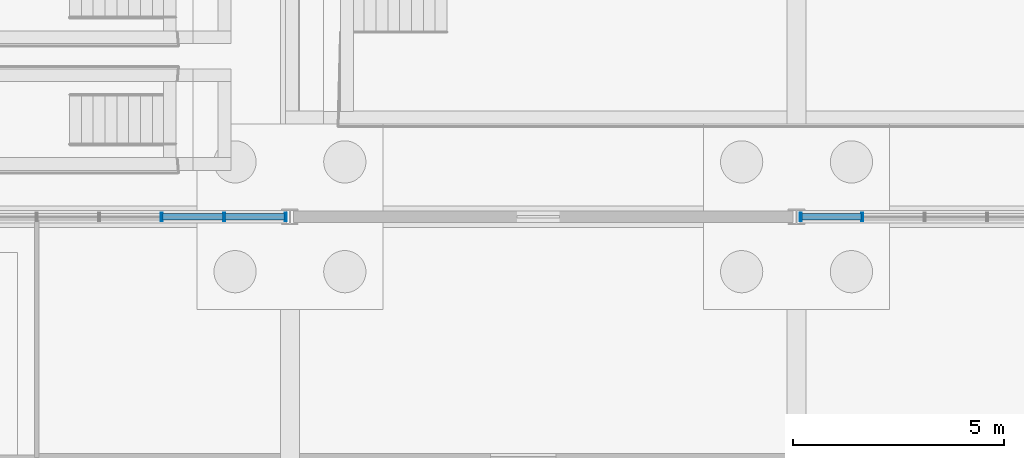
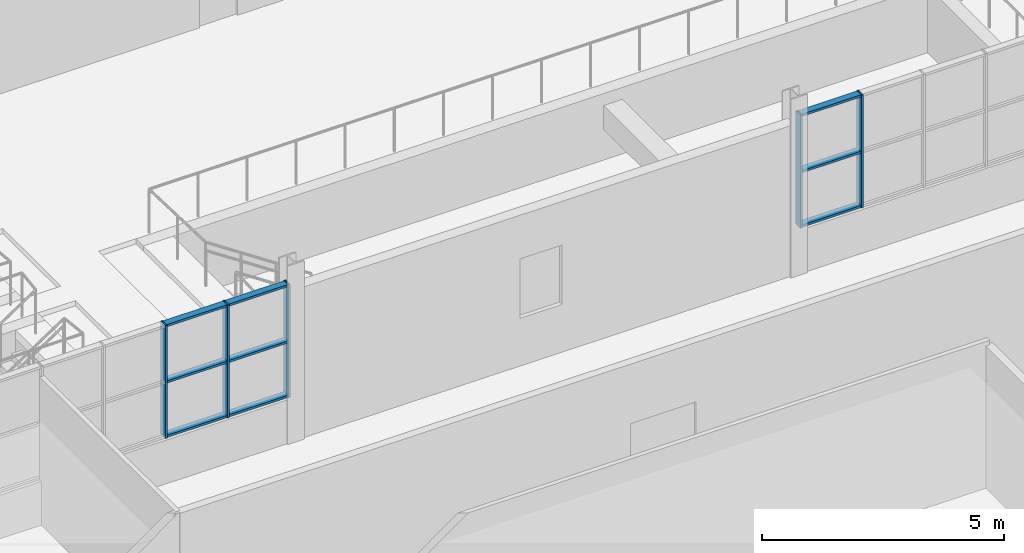
# One storey, part 76 of 136: 14 members, 2 elements without a shape of their own.
"""IFC4 building model written with IfcOpenShell, lengths in metres."""

from ifc_helpers import new_model, si_unit, direction, frame, origin, origin_2d, place, context, subcontext, project, spatial, hollow_rectangle, extrude, material, layer, layer_set, material_profile, profile_set, type_object, element, aggregate, save


model = new_model("IFC4")

# Units and contexts
model_context = context("Model", 3, precision=1e-05, world=origin(), true_north=direction((0.0, 1.0)))
body_context = subcontext(model_context, "Body", "Model", "MODEL_VIEW")
ifc_project = project(units=[si_unit("LENGTHUNIT", "METRE"), si_unit("AREAUNIT", "SQUARE_METRE"), si_unit("VOLUMEUNIT", "CUBIC_METRE"), si_unit("PLANEANGLEUNIT", "RADIAN"), si_unit("MASSUNIT", "GRAM", prefix="KILO")], contexts=[model_context])

# Site, building, storey
site_placement = place(None, origin())
site = spatial("IfcSite", under=ifc_project, at=site_placement, CompositionType="ELEMENT")
building_placement = place(site_placement, origin())
building = spatial("IfcBuilding", under=site, at=building_placement, Name="Solvenia Promenade Tram Depot", CompositionType="ELEMENT")
storey_placement = place(building_placement, origin())
storey = spatial("IfcBuildingStorey", under=building, at=storey_placement, Name="L00", CompositionType="ELEMENT", Elevation=0.0)

# Curtain wall, members
ifc_material = material(Name="Anodized aluminium AW-6063 T6", Category="aluminium")
ifc_layer = layer(ifc_material, 0.179931640625, Name="Anodized aluminium AW-6063 T6", Category="aluminium")
ifc_layer_set = layer_set([ifc_layer], Name="Anodized aluminium AW-6063 T6")
curtain_wall_type = type_object("IfcCurtainWallType", Name="CW-Solar-1500", PredefinedType="NOTDEFINED", material=ifc_layer_set)
curtain_wall_1_placement = place(storey_placement, origin())
curtain_wall_1 = element("IfcCurtainWall", 1, at=curtain_wall_1_placement, inside=storey, type_object=curtain_wall_type, Name="Curtain Wall CW-V2S-L0-07", PredefinedType="NOTDEFINED")
ifc_material_profile_1 = material_profile(ifc_material, hollow_rectangle(XDim=0.199951171875, YDim=0.048095703125, WallThickness=0.00390625, at=origin_2d()), Name="ALU-M3", Category="aluminium")
ifc_profile_set_1 = profile_set([ifc_material_profile_1], Name="Anodized aluminium AW-6063 T6")
member_type_1 = type_object("IfcMemberType", Name="CWM-Mullion-3", PredefinedType="MULLION", material=ifc_profile_set_1)
member_1_placement = place(storey_placement, frame((158.9599609375, 24.0, 1.10009765625), z_axis=(0.0, 0.0, 1.0), x_axis=(0.0, 1.0, 0.0)))
member_1 = element("IfcMember", 2, at=member_1_placement, type_object=member_type_1, Name="CW-7 mullion 7", PredefinedType="MULLION", context=body_context, shape_type="SweptSolid", body=[
    extrude(hollow_rectangle(XDim=0.199951171875, YDim=0.048095703125, WallThickness=0.00390625, at=origin_2d()), origin(), (0.0, 0.0, 1.0), 2.849853515625),
])
member_2_placement = place(storey_placement, frame((160.43994140625, 24.0, 1.10009765625), z_axis=(0.0, 0.0, 1.0), x_axis=(0.0, 1.0, 0.0)))
member_2 = element("IfcMember", 3, at=member_2_placement, type_object=member_type_1, Name="CW-7 mullion 8", PredefinedType="MULLION", context=body_context, shape_type="SweptSolid", body=[
    extrude(hollow_rectangle(XDim=0.199951171875, YDim=0.048095703125, WallThickness=0.00390625, at=origin_2d()), origin(), (0.0, 0.0, 1.0), 2.849853515625),
])
member_3_placement = place(storey_placement, frame((161.89599609375, 24.0, 1.10009765625), z_axis=(0.0, 0.0, 1.0), x_axis=(0.0, 1.0, 0.0)))
member_3 = element("IfcMember", 4, at=member_3_placement, type_object=member_type_1, Name="CW-7 mullion 9", PredefinedType="MULLION", context=body_context, shape_type="SweptSolid", body=[
    extrude(hollow_rectangle(XDim=0.199951171875, YDim=0.048095703125, WallThickness=0.00390625, at=origin_2d()), origin(), (0.0, 0.0, 1.0), 2.849853515625),
])

curtain_wall_2_placement = place(storey_placement, origin())
curtain_wall_2 = element("IfcCurtainWall", 5, at=curtain_wall_2_placement, inside=storey, type_object=curtain_wall_type, Name="Curtain Wall CW-V2S-L0-09", PredefinedType="NOTDEFINED")
member_4_placement = place(storey_placement, frame((174.10400390625, 24.0, 1.10009765625), z_axis=(0.0, 0.0, 1.0), x_axis=(0.0, 1.0, 0.0)))
member_4 = element("IfcMember", 6, at=member_4_placement, type_object=member_type_1, Name="CW-7 mullion 1", PredefinedType="MULLION", context=body_context, shape_type="SweptSolid", body=[
    extrude(hollow_rectangle(XDim=0.199951171875, YDim=0.048095703125, WallThickness=0.00390625, at=origin_2d()), origin(), (0.0, 0.0, 1.0), 2.849853515625),
])
member_5_placement = place(storey_placement, frame((175.56005859375, 24.0, 1.10009765625), z_axis=(0.0, 0.0, 1.0), x_axis=(0.0, 1.0, 0.0)))
member_5 = element("IfcMember", 7, at=member_5_placement, type_object=member_type_1, Name="CW-7 mullion 2", PredefinedType="MULLION", context=body_context, shape_type="SweptSolid", body=[
    extrude(hollow_rectangle(XDim=0.199951171875, YDim=0.048095703125, WallThickness=0.00390625, at=origin_2d()), origin(), (0.0, 0.0, 1.0), 2.849853515625),
])

# Member
ifc_material_profile_2 = material_profile(ifc_material, hollow_rectangle(XDim=0.159912109375, YDim=0.05810546875, WallThickness=0.00390625, at=origin_2d()), Name="ALU-T3", Category="aluminium")
ifc_profile_set_2 = profile_set([ifc_material_profile_2], Name="Anodized aluminium AW-6063 T6")
member_type_2 = type_object("IfcMemberType", Name="CWT-Transom-3", PredefinedType="USERDEFINED", material=ifc_profile_set_2)
member_6_placement = place(storey_placement, frame((158.98388671875, 24.0, 1.12890625), z_axis=(1.0, 0.0, 0.0), x_axis=(0.0, 1.0, 0.0)))
member_6 = element("IfcMember", 8, at=member_6_placement, type_object=member_type_2, Name="CW-7 transom 7.1", ObjectType="TRANSOM", PredefinedType="USERDEFINED", context=body_context, shape_type="SweptSolid", body=[
    extrude(hollow_rectangle(XDim=0.159912109375, YDim=0.05810546875, WallThickness=0.00390625, at=origin_2d()), origin(), (0.0, 0.0, 1.0), 1.43212890625),
])

member_7_placement = place(storey_placement, frame((158.98388671875, 24.0, 2.5), z_axis=(1.0, 0.0, 0.0), x_axis=(0.0, 1.0, 0.0)))
member_7 = element("IfcMember", 9, at=member_7_placement, type_object=member_type_2, Name="CW-7 transom 7.2", ObjectType="TRANSOM", PredefinedType="USERDEFINED", context=body_context, shape_type="SweptSolid", body=[
    extrude(hollow_rectangle(XDim=0.159912109375, YDim=0.05810546875, WallThickness=0.00390625, at=origin_2d()), origin(), (0.0, 0.0, 1.0), 1.43212890625),
])

member_8_placement = place(storey_placement, frame((158.98388671875, 24.0, 3.9208984375), z_axis=(1.0, 0.0, 0.0), x_axis=(0.0, 1.0, 0.0)))
member_8 = element("IfcMember", 10, at=member_8_placement, type_object=member_type_2, Name="CW-7 transom 7.3", ObjectType="TRANSOM", PredefinedType="USERDEFINED", context=body_context, shape_type="SweptSolid", body=[
    extrude(hollow_rectangle(XDim=0.159912109375, YDim=0.05810546875, WallThickness=0.00390625, at=origin_2d()), origin(), (0.0, 0.0, 1.0), 1.43212890625),
])

member_9_placement = place(storey_placement, frame((160.464111328125, 24.0, 1.12890625), z_axis=(1.0, 0.0, 0.0), x_axis=(0.0, 1.0, 0.0)))
member_9 = element("IfcMember", 11, at=member_9_placement, type_object=member_type_2, Name="CW-7 transom 8.1", ObjectType="TRANSOM", PredefinedType="USERDEFINED", context=body_context, shape_type="SweptSolid", body=[
    extrude(hollow_rectangle(XDim=0.159912109375, YDim=0.05810546875, WallThickness=0.00390625, at=origin_2d()), origin(), (0.0, 0.0, 1.0), 1.407958984375),
])

member_10_placement = place(storey_placement, frame((160.464111328125, 24.0, 2.5), z_axis=(1.0, 0.0, 0.0), x_axis=(0.0, 1.0, 0.0)))
member_10 = element("IfcMember", 12, at=member_10_placement, type_object=member_type_2, Name="CW-7 transom 8.2", ObjectType="TRANSOM", PredefinedType="USERDEFINED", context=body_context, shape_type="SweptSolid", body=[
    extrude(hollow_rectangle(XDim=0.159912109375, YDim=0.05810546875, WallThickness=0.00390625, at=origin_2d()), origin(), (0.0, 0.0, 1.0), 1.407958984375),
])

member_11_placement = place(storey_placement, frame((160.464111328125, 24.0, 3.9208984375), z_axis=(1.0, 0.0, 0.0), x_axis=(0.0, 1.0, 0.0)))
member_11 = element("IfcMember", 13, at=member_11_placement, type_object=member_type_2, Name="CW-7 transom 8.3", ObjectType="TRANSOM", PredefinedType="USERDEFINED", context=body_context, shape_type="SweptSolid", body=[
    extrude(hollow_rectangle(XDim=0.159912109375, YDim=0.05810546875, WallThickness=0.00390625, at=origin_2d()), origin(), (0.0, 0.0, 1.0), 1.407958984375),
])

aggregate(curtain_wall_1, [member_1, member_2, member_3, member_6, member_7, member_8, member_9, member_10, member_11])

member_12_placement = place(storey_placement, frame((174.1279296875, 24.0, 1.12890625), z_axis=(1.0, 0.0, 0.0), x_axis=(0.0, 1.0, 0.0)))
member_12 = element("IfcMember", 14, at=member_12_placement, type_object=member_type_2, Name="CW-7 transom 1.1", ObjectType="TRANSOM", PredefinedType="USERDEFINED", context=body_context, shape_type="SweptSolid", body=[
    extrude(hollow_rectangle(XDim=0.159912109375, YDim=0.05810546875, WallThickness=0.00390625, at=origin_2d()), origin(), (0.0, 0.0, 1.0), 1.407958984375),
])

member_13_placement = place(storey_placement, frame((174.1279296875, 24.0, 2.5), z_axis=(1.0, 0.0, 0.0), x_axis=(0.0, 1.0, 0.0)))
member_13 = element("IfcMember", 15, at=member_13_placement, type_object=member_type_2, Name="CW-7 transom 1.2", ObjectType="TRANSOM", PredefinedType="USERDEFINED", context=body_context, shape_type="SweptSolid", body=[
    extrude(hollow_rectangle(XDim=0.159912109375, YDim=0.05810546875, WallThickness=0.00390625, at=origin_2d()), origin(), (0.0, 0.0, 1.0), 1.407958984375),
])

member_14_placement = place(storey_placement, frame((174.1279296875, 24.0, 3.9208984375), z_axis=(1.0, 0.0, 0.0), x_axis=(0.0, 1.0, 0.0)))
member_14 = element("IfcMember", 16, at=member_14_placement, type_object=member_type_2, Name="CW-7 transom 1.3", ObjectType="TRANSOM", PredefinedType="USERDEFINED", context=body_context, shape_type="SweptSolid", body=[
    extrude(hollow_rectangle(XDim=0.159912109375, YDim=0.05810546875, WallThickness=0.00390625, at=origin_2d()), origin(), (0.0, 0.0, 1.0), 1.407958984375),
])

aggregate(curtain_wall_2, [member_4, member_5, member_12, member_13, member_14])

save(model, "model.ifc")
